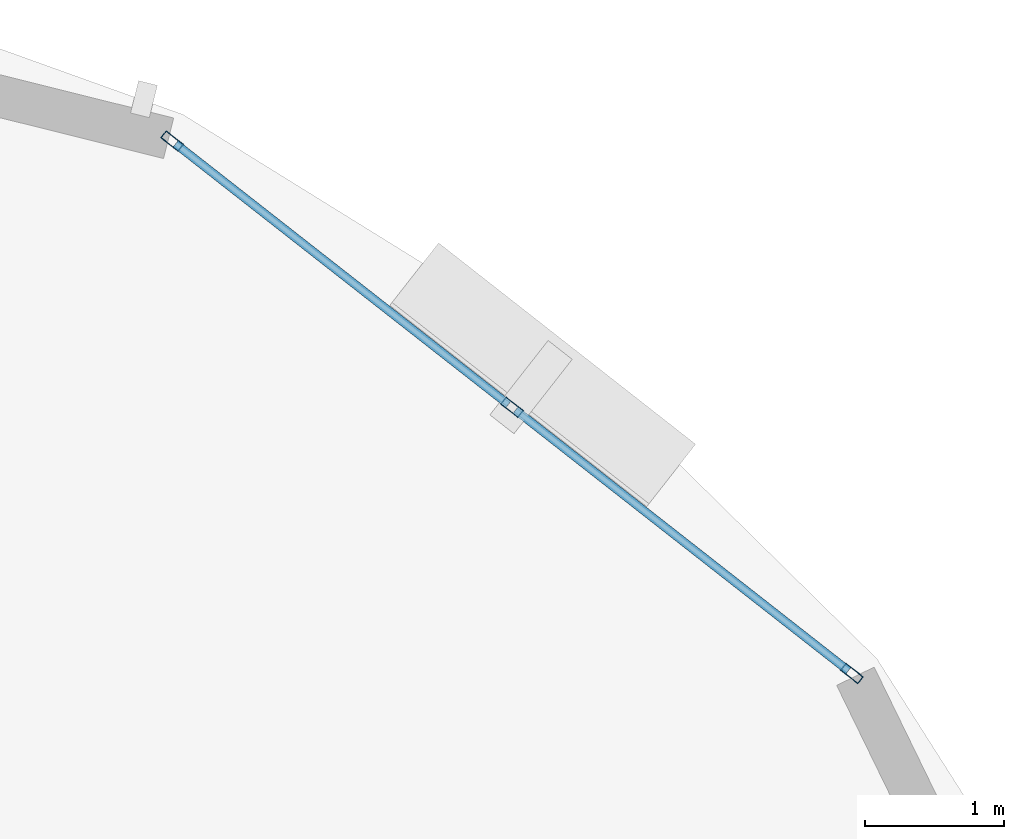
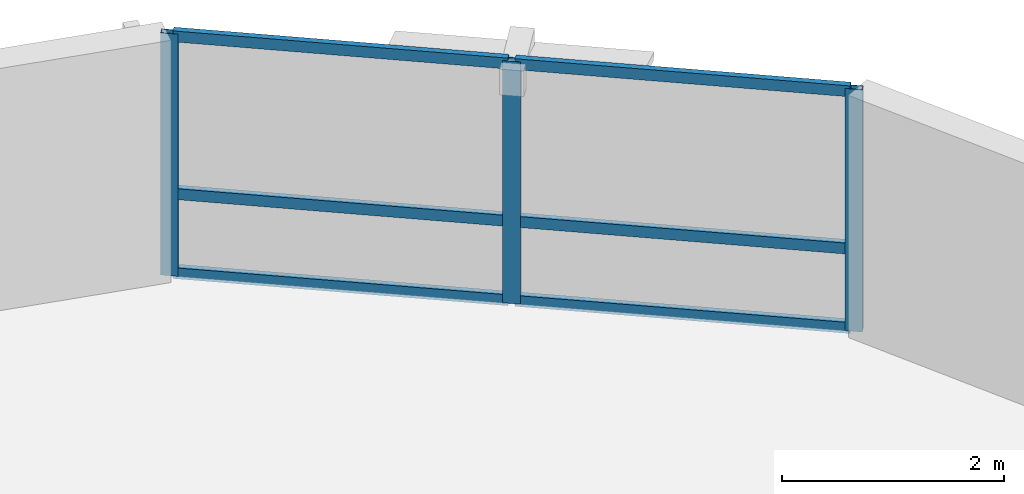
# One storey, part 6 of 12: 9 members, 1 element without a shape of its own.
"""IFC4 building model written with IfcOpenShell, lengths in metres."""

from ifc_helpers import new_model, si_unit, direction, frame, origin, origin_2d, place, context, subcontext, project, spatial, hollow_rectangle, extrude, material, layer, layer_set, material_profile, profile_set, type_object, element, aggregate, save


model = new_model("IFC4")

# Units and contexts
model_context = context("Model", 3, precision=1e-05, world=origin(), true_north=direction((0.0, 1.0)))
body_context = subcontext(model_context, "Body", "Model", "MODEL_VIEW")
ifc_project = project(units=[si_unit("LENGTHUNIT", "METRE"), si_unit("AREAUNIT", "SQUARE_METRE"), si_unit("VOLUMEUNIT", "CUBIC_METRE"), si_unit("PLANEANGLEUNIT", "RADIAN"), si_unit("MASSUNIT", "GRAM", prefix="KILO"), si_unit("THERMODYNAMICTEMPERATUREUNIT", "KELVIN"), si_unit("POWERUNIT", "WATT")], contexts=[model_context])

# Site, building, storey
site_placement = place(None, origin())
site = spatial("IfcSite", under=ifc_project, at=site_placement, CompositionType="ELEMENT")
building_placement = place(site_placement, origin())
building = spatial("IfcBuilding", under=site, at=building_placement, Name="Ocrelia Relay Tower", CompositionType="ELEMENT")
storey_placement = place(building_placement, frame((0.0, 0.0, 195.199951171875)))
storey = spatial("IfcBuildingStorey", under=building, at=storey_placement, Name="L47", CompositionType="ELEMENT", Elevation=195.199951171875)

# Curtain wall, members
ifc_material_1 = material(Name="Aluminium and solar-control low-E glass", Category="aluminium")
ifc_layer = layer(ifc_material_1, 0.179931640625, Name="Aluminium and solar-control low-E glass")
ifc_layer_set = layer_set([ifc_layer], Name="Aluminium and solar-control low-E glass")
curtain_wall_type = type_object("IfcCurtainWallType", Name="CW-SYS-Z3-CLOU", PredefinedType="NOTDEFINED", material=ifc_layer_set)
curtain_wall_placement = place(storey_placement, origin())
curtain_wall = element("IfcCurtainWall", 1, at=curtain_wall_placement, inside=storey, type_object=curtain_wall_type, Name="L47 Elliptical Tower Curtain Wall Bay 01", PredefinedType="NOTDEFINED")
ifc_material_2 = material(Name="Anodised bronze aluminium", Category="aluminium")
ifc_material_profile_1 = material_profile(ifc_material_2, hollow_rectangle(XDim=0.06494140625, YDim=0.159912109375, WallThickness=0.0048828125, at=origin_2d()), Name="CW-MUL-160x65")
ifc_profile_set_1 = profile_set([ifc_material_profile_1], Name="Anodised bronze aluminium")
member_type_1 = type_object("IfcMemberType", Name="CW-SYS-Z3-CLOU-MUL", PredefinedType="MULLION", material=ifc_profile_set_1)
member_1_placement = place(storey_placement, frame((52.172607421875, 40.730224609375, 0.0), z_axis=(0.0, 0.0, 1.0), x_axis=(-0.616620217281, -0.787260762162, 0.0)))
member_1 = element("IfcMember", 2, at=member_1_placement, type_object=member_type_1, Name="CW-Z3 mullion 1", PredefinedType="MULLION", context=body_context, shape_type="SweptSolid", body=[
    extrude(hollow_rectangle(XDim=0.06494140625, YDim=0.159912109375, WallThickness=0.0048828125, at=origin_2d()), origin(), (0.0, 0.0, 1.0), 2.66015625),
])
member_2_placement = place(storey_placement, frame((49.72509765625, 42.647216796875, 0.0), z_axis=(0.0, 0.0, 1.0), x_axis=(-0.616620217281, -0.787260762162, 0.0)))
member_2 = element("IfcMember", 3, at=member_2_placement, type_object=member_type_1, Name="CW-Z3 mullion 2", PredefinedType="MULLION", context=body_context, shape_type="SweptSolid", body=[
    extrude(hollow_rectangle(XDim=0.06494140625, YDim=0.159912109375, WallThickness=0.0048828125, at=origin_2d()), origin(), (0.0, 0.0, 1.0), 2.66015625),
])
member_3_placement = place(storey_placement, frame((47.277587890625, 44.564208984375, 0.0), z_axis=(0.0, 0.0, 1.0), x_axis=(-0.616620217281, -0.787260762162, 0.0)))
member_3 = element("IfcMember", 4, at=member_3_placement, type_object=member_type_1, Name="CW-Z3 mullion 3", PredefinedType="MULLION", context=body_context, shape_type="SweptSolid", body=[
    extrude(hollow_rectangle(XDim=0.06494140625, YDim=0.159912109375, WallThickness=0.0048828125, at=origin_2d()), origin(), (0.0, 0.0, 1.0), 2.66015625),
])
ifc_material_profile_2 = material_profile(ifc_material_2, hollow_rectangle(XDim=0.06005859375, YDim=0.1201171875, WallThickness=0.0048828125, at=origin_2d()), Name="CW-TRN-120x60")
ifc_profile_set_2 = profile_set([ifc_material_profile_2], Name="Anodised bronze aluminium")
member_type_2 = type_object("IfcMemberType", Name="CW-SYS-Z3-CLOU-TRN", PredefinedType="USERDEFINED", material=ifc_profile_set_2)
member_4_placement = place(storey_placement, frame((52.14697265625, 40.750244140625, 0.030029296875), z_axis=(-0.787274773198, 0.616602328479, 0.0), x_axis=(-0.616602328479, -0.787274773198, 0.0)))
member_4 = element("IfcMember", 5, at=member_4_placement, type_object=member_type_2, Name="CW-Z3 transom 1.1", ObjectType="TRANSOM", PredefinedType="USERDEFINED", context=body_context, shape_type="SweptSolid", body=[
    extrude(hollow_rectangle(XDim=0.06005859375, YDim=0.1201171875, WallThickness=0.0048828125, at=origin_2d()), origin(), (0.0, 0.0, 1.0), 3.0439453125),
])
member_5_placement = place(storey_placement, frame((52.14697265625, 40.750244140625, 0.900146484375), z_axis=(-0.787274773198, 0.616602328479, 0.0), x_axis=(-0.616602328479, -0.787274773198, 0.0)))
member_5 = element("IfcMember", 6, at=member_5_placement, type_object=member_type_2, Name="CW-Z3 transom 1.2", ObjectType="TRANSOM", PredefinedType="USERDEFINED", context=body_context, shape_type="SweptSolid", body=[
    extrude(hollow_rectangle(XDim=0.06005859375, YDim=0.1201171875, WallThickness=0.0048828125, at=origin_2d()), origin(), (0.0, 0.0, 1.0), 3.0439453125),
])
member_6_placement = place(storey_placement, frame((52.14697265625, 40.750244140625, 2.630126953125), z_axis=(-0.787274773198, 0.616602328479, 0.0), x_axis=(-0.616602328479, -0.787274773198, 0.0)))
member_6 = element("IfcMember", 7, at=member_6_placement, type_object=member_type_2, Name="CW-Z3 transom 1.3", ObjectType="TRANSOM", PredefinedType="USERDEFINED", context=body_context, shape_type="SweptSolid", body=[
    extrude(hollow_rectangle(XDim=0.06005859375, YDim=0.1201171875, WallThickness=0.0048828125, at=origin_2d()), origin(), (0.0, 0.0, 1.0), 3.0439453125),
])
member_7_placement = place(storey_placement, frame((49.699462890625, 42.667236328125, 0.030029296875), z_axis=(-0.787274773198, 0.616602328479, 0.0), x_axis=(-0.616602328479, -0.787274773198, 0.0)))
member_7 = element("IfcMember", 8, at=member_7_placement, type_object=member_type_2, Name="CW-Z3 transom 2.1", ObjectType="TRANSOM", PredefinedType="USERDEFINED", context=body_context, shape_type="SweptSolid", body=[
    extrude(hollow_rectangle(XDim=0.06005859375, YDim=0.1201171875, WallThickness=0.0048828125, at=origin_2d()), origin(), (0.0, 0.0, 1.0), 3.0439453125),
])
member_8_placement = place(storey_placement, frame((49.699462890625, 42.667236328125, 0.900146484375), z_axis=(-0.787274773198, 0.616602328479, 0.0), x_axis=(-0.616602328479, -0.787274773198, 0.0)))
member_8 = element("IfcMember", 9, at=member_8_placement, type_object=member_type_2, Name="CW-Z3 transom 2.2", ObjectType="TRANSOM", PredefinedType="USERDEFINED", context=body_context, shape_type="SweptSolid", body=[
    extrude(hollow_rectangle(XDim=0.06005859375, YDim=0.1201171875, WallThickness=0.0048828125, at=origin_2d()), origin(), (0.0, 0.0, 1.0), 3.0439453125),
])
member_9_placement = place(storey_placement, frame((49.699462890625, 42.667236328125, 2.630126953125), z_axis=(-0.787274773198, 0.616602328479, 0.0), x_axis=(-0.616602328479, -0.787274773198, 0.0)))
member_9 = element("IfcMember", 10, at=member_9_placement, type_object=member_type_2, Name="CW-Z3 transom 2.3", ObjectType="TRANSOM", PredefinedType="USERDEFINED", context=body_context, shape_type="SweptSolid", body=[
    extrude(hollow_rectangle(XDim=0.06005859375, YDim=0.1201171875, WallThickness=0.0048828125, at=origin_2d()), origin(), (0.0, 0.0, 1.0), 3.0439453125),
])
aggregate(curtain_wall, [member_1, member_2, member_3, member_4, member_5, member_6, member_7, member_8, member_9])

save(model, "model.ifc")
